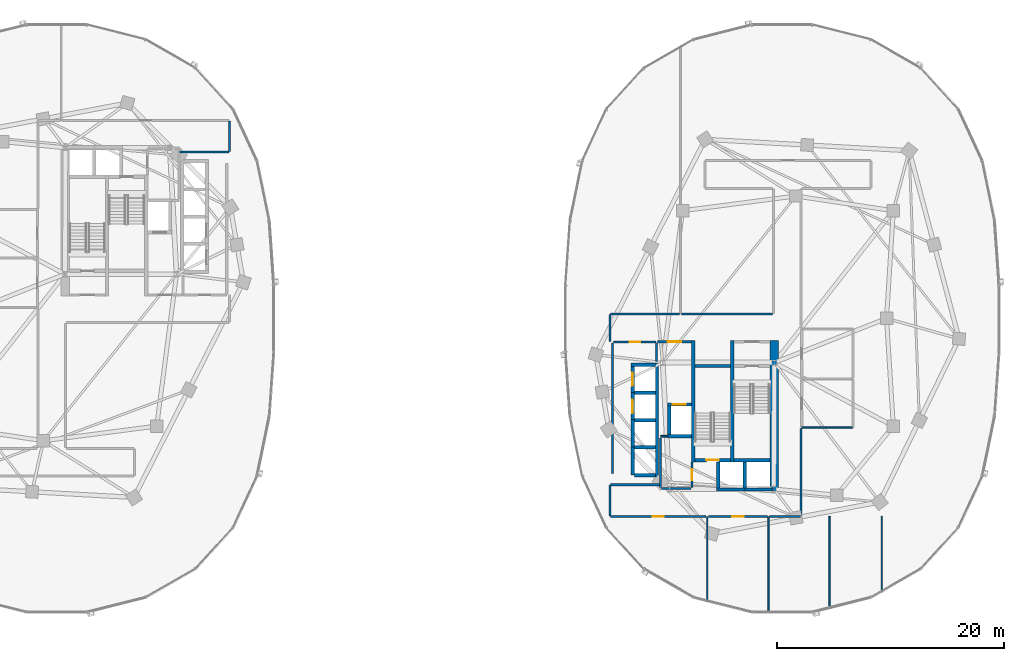
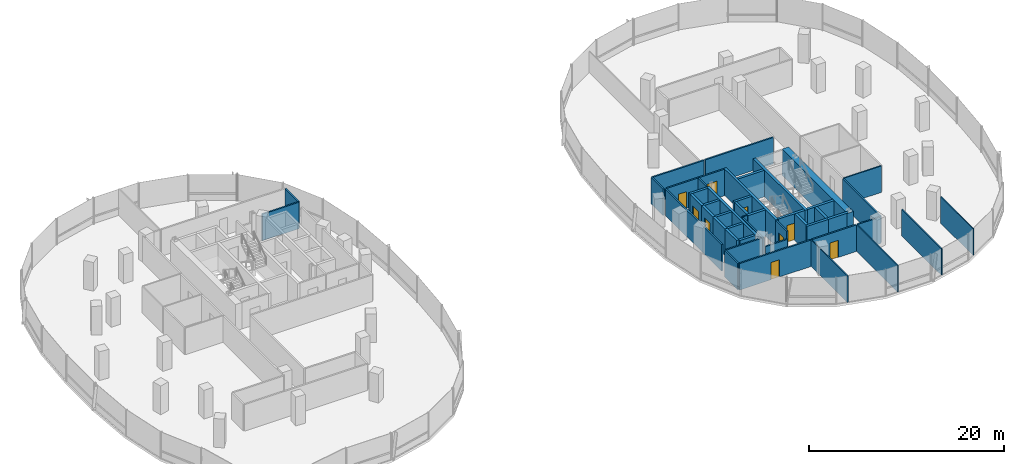
# One storey, part 12 of 20: 47 walls, 9 doors, 9 openings.
"""IFC4 building model written with IfcOpenShell, lengths in metres."""

import ifcopenshell
import ifcopenshell.guid

model = None  # the IFC model being written
_history = None  # IfcOwnerHistory: only IFC2X3 demands one
_inside = {}  # id of a spatial element -> (the spatial element, [elements in it])
_under = {}  # id of a project, library or spatial element -> (it, [spatial elements below it])
_declared = {}  # id of a project -> (the project, [libraries it declares])
_typed = {}  # id of a type object -> (the type object, [elements of that type])
_made_of = {}  # id of a material, layer set ... -> (it, [elements and type objects made of it])


def new_model(schema):
    """Start an empty IFC model of exactly this schema.

    Asked for "IFC4X3", IfcOpenShell would pick the latest addendum, in which some entities
    have other attributes; the version numbers below select the first issue.
    IFC2X3 requires an IfcOwnerHistory on every rooted entity: one is made here for all.
    """
    global model, _history
    if schema == "IFC4X3":
        model = ifcopenshell.file(schema_version=(4, 3, 0, 0))
    else:
        model = ifcopenshell.file(schema=schema)
    _inside.clear()
    _under.clear()
    _declared.clear()
    _typed.clear()
    _made_of.clear()
    _history = None
    if model.schema == "IFC2X3":
        org = make("IfcOrganization", Name="unknown")
        user = make(
            "IfcPersonAndOrganization",
            ThePerson=make("IfcPerson", FamilyName="unknown"),
            TheOrganization=org,
        )
        app = make(
            "IfcApplication",
            ApplicationDeveloper=org,
            Version="unknown",
            ApplicationFullName="unknown",
            ApplicationIdentifier="unknown",
        )
        _history = make(
            "IfcOwnerHistory",
            OwningUser=user,
            OwningApplication=app,
            ChangeAction="ADDED",
            CreationDate=0,
        )
    return model


def make(cls, **values):
    """One entity of the class cls with the attributes given. An attribute that is None is left unset."""
    return model.create_entity(
        cls, **{name: value for name, value in values.items() if value is not None}
    )


def rooted(cls, **values):
    """An entity with a GlobalId (a new one), such as an element, a storey or a relation."""
    return make(cls, GlobalId=ifcopenshell.guid.new(), OwnerHistory=_history, **values)


def si_unit(unit_type, name, prefix=None):
    """IfcSIUnit, for example si_unit("LENGTHUNIT", "METRE", prefix="MILLI")."""
    return make("IfcSIUnit", UnitType=unit_type, Prefix=prefix, Name=name)


def assignment(units):
    """IfcUnitAssignment: the units of a project."""
    return None if units is None else make("IfcUnitAssignment", Units=units)


def point(xyz):
    """IfcCartesianPoint."""
    return None if xyz is None else make("IfcCartesianPoint", Coordinates=xyz)


def direction(xyz):
    """IfcDirection."""
    return None if xyz is None else make("IfcDirection", DirectionRatios=xyz)


def frame(location, z_axis=None, x_axis=None):
    """IfcAxis2Placement3D, a coordinate frame: its origin and axes. An axis left out is left unset."""
    return make(
        "IfcAxis2Placement3D",
        Location=point(location),
        Axis=direction(z_axis),
        RefDirection=direction(x_axis),
    )


def frame_2d(location, x_axis=None):
    """IfcAxis2Placement2D, a coordinate frame in the plane: its origin and x axis."""
    return make(
        "IfcAxis2Placement2D", Location=point(location), RefDirection=direction(x_axis)
    )


def origin():
    """The frame at (0, 0, 0) with its axes left unset."""
    return frame((0.0, 0.0, 0.0))


def place(relative_to, where):
    """IfcLocalPlacement: puts the frame where relative to a parent placement (None: the world)."""
    return make(
        "IfcLocalPlacement", PlacementRelTo=relative_to, RelativePlacement=where
    )


def context(
    kind, dimensions, precision=None, world=None, true_north=None, identifier=None
):
    """IfcGeometricRepresentationContext, for example the 3D "Model" context."""
    return make(
        "IfcGeometricRepresentationContext",
        ContextIdentifier=identifier,
        ContextType=kind,
        CoordinateSpaceDimension=dimensions,
        Precision=precision,
        WorldCoordinateSystem=world,
        TrueNorth=true_north,
    )


def subcontext(parent, identifier, kind, view, scale=None):
    """IfcGeometricRepresentationSubContext, for example "Body" below "Model"."""
    return make(
        "IfcGeometricRepresentationSubContext",
        ContextIdentifier=identifier,
        ContextType=kind,
        ParentContext=parent,
        TargetScale=scale,
        TargetView=view,
    )


def project(units=None, contexts=None):
    """IfcProject with its units and contexts."""
    return rooted(
        "IfcProject",
        Name="project",
        RepresentationContexts=contexts,
        UnitsInContext=assignment(units),
    )


def spatial(cls, under=None, at=None, **own):
    """A site, building, storey or space (cls), placed at a placement, below another one or the project."""
    s = rooted(cls, ObjectPlacement=at, **own)
    if under is not None:
        _under.setdefault(under.id(), (under, []))[1].append(s)
    return s


def profile(cls, at=None, kind="AREA", **sizes):
    """A parametric profile (cls). Its sizes go by their IFC names, for example OverallWidth=200.0."""
    return make(cls, ProfileType=kind, Position=at, **sizes)


def rectangle(**sizes):
    """IfcRectangleProfileDef."""
    return profile("IfcRectangleProfileDef", **sizes)


def extrude(swept, where, along, depth):
    """IfcExtrudedAreaSolid: the profile swept, set in the frame where, extruded along a direction by depth."""
    return make(
        "IfcExtrudedAreaSolid",
        SweptArea=swept,
        Position=where,
        ExtrudedDirection=direction(along),
        Depth=depth,
    )


def shape(context_of_items, identifier, shape_type, items):
    """IfcShapeRepresentation: the items that make up one representation, for example the "Body"."""
    return make(
        "IfcShapeRepresentation",
        ContextOfItems=context_of_items,
        RepresentationIdentifier=identifier,
        RepresentationType=shape_type,
        Items=items,
    )


def material(Name=None, Category=None):
    """IfcMaterial."""
    return make("IfcMaterial", Name=Name, Category=Category)


def layer(
    of_material, thickness, ventilated=None, Name=None, Category=None, Priority=None
):
    """IfcMaterialLayer: one layer of a wall or slab, of a material (None: an air gap)."""
    return make(
        "IfcMaterialLayer",
        Material=of_material,
        LayerThickness=thickness,
        IsVentilated=ventilated,
        Name=Name,
        Category=Category,
        Priority=Priority,
    )


def layer_set(layers, Name=None):
    """IfcMaterialLayerSet."""
    return make("IfcMaterialLayerSet", MaterialLayers=layers, LayerSetName=Name)


def made_of(thing, what):
    """Note that an element or type object is made of a material, layer set ...; save() writes the relation."""
    if what is not None:
        _made_of.setdefault(what.id(), (what, []))[1].append(thing)
    return thing


def type_object(cls, material=None, **own):
    """A type object (cls), such as IfcWallType, which elements share."""
    return made_of(rooted(cls, **own), material)


def element(
    cls,
    number,
    at=None,
    inside=None,
    cuts=None,
    type_object=None,
    material=None,
    context=None,
    identifier="Body",
    shape_type=None,
    held_by="IfcProductDefinitionShape",
    body=None,
    shapes=None,
    **own,
):
    """One element of the class cls, such as IfcWall. Its Tag is "e" and its number.

    at: its placement. inside: the storey or other place that contains it. cuts: it is an
    opening in that element (IfcRelVoidsElement). A single representation is given by context,
    identifier, shape_type and body (its items); several are given by shapes. held_by: the class
    of the entity that holds the representations. save() writes the other relations.
    """
    e = rooted(cls, Tag="e%d" % number, ObjectPlacement=at, **own)
    if body is not None:
        shapes = [shape(context, identifier, shape_type, body)]
    if shapes is not None:
        e.Representation = make(held_by, Representations=shapes)
    if inside is not None:
        _inside.setdefault(inside.id(), (inside, []))[1].append(e)
    if cuts is not None:
        rooted(
            "IfcRelVoidsElement", RelatingBuildingElement=cuts, RelatedOpeningElement=e
        )
    if type_object is not None:
        _typed.setdefault(type_object.id(), (type_object, []))[1].append(e)
    return made_of(e, material)


def fill(opening, filler):
    """IfcRelFillsElement: the door or window that sits in an opening."""
    return rooted(
        "IfcRelFillsElement",
        RelatingOpeningElement=opening,
        RelatedBuildingElement=filler,
    )


def aggregate(whole, parts):
    """IfcRelAggregates: a whole, such as a stair, and the parts it consists of."""
    return rooted("IfcRelAggregates", RelatingObject=whole, RelatedObjects=parts)


def save(model, path):
    """Write the relations noted so far, then the file.

    IfcRelAggregates (storeys below a building ...), IfcRelContainedInSpatialStructure (elements
    in a storey), IfcRelDefinesByType, IfcRelAssociatesMaterial and IfcRelDeclares: one each for
    every whole, place, type object, material and project.
    """
    for whole, parts in _under.values():
        aggregate(whole, parts)
    for where, things in _inside.values():
        rooted(
            "IfcRelContainedInSpatialStructure",
            RelatedElements=things,
            RelatingStructure=where,
        )
    for kind, things in _typed.values():
        rooted("IfcRelDefinesByType", RelatedObjects=things, RelatingType=kind)
    for what, things in _made_of.values():
        rooted("IfcRelAssociatesMaterial", RelatedObjects=things, RelatingMaterial=what)
    for by, libraries in _declared.values():
        rooted("IfcRelDeclares", RelatingContext=by, RelatedDefinitions=libraries)
    model.write(path)


model = new_model("IFC4")

# Units and contexts
model_context = context("Model", 3, precision=1e-05, world=origin(), true_north=direction((0.0, 1.0)))
body_context = subcontext(model_context, "Body", "Model", "MODEL_VIEW")
ifc_project = project(units=[si_unit("LENGTHUNIT", "METRE"), si_unit("AREAUNIT", "SQUARE_METRE"), si_unit("VOLUMEUNIT", "CUBIC_METRE"), si_unit("PLANEANGLEUNIT", "RADIAN"), si_unit("MASSUNIT", "GRAM", prefix="KILO"), si_unit("THERMODYNAMICTEMPERATUREUNIT", "KELVIN"), si_unit("POWERUNIT", "WATT")], contexts=[model_context])

# Site, building, storey
site_placement = place(None, origin())
site = spatial("IfcSite", under=ifc_project, at=site_placement, CompositionType="ELEMENT")
building_placement = place(site_placement, origin())
building = spatial("IfcBuilding", under=site, at=building_placement, Name="Cundina Bronze Exchange", CompositionType="ELEMENT")
storey_placement = place(building_placement, frame((0.0, 0.0, 128.60009765625)))
storey = spatial("IfcBuildingStorey", under=building, at=storey_placement, Name="L33", CompositionType="ELEMENT", Elevation=128.60009765625)

# Wall
ifc_material_1 = material(Name="Gypsum Fireboard Partition EI120")
ifc_layer_1 = layer(ifc_material_1, 0.179931640625, Name="Gypsum Fireboard Partition EI120")
ifc_layer_set_1 = layer_set([ifc_layer_1], Name="Gypsum Fireboard Partition EI120")
wall_type_1 = type_object("IfcWallType", Name="WL-COR-180", PredefinedType="PARTITIONING", material=ifc_layer_set_1)
wall_1_placement = place(storey_placement, frame((20.889892578125, -3.800048828125, 0.0), z_axis=(0.0, 0.0, 1.0), x_axis=(0.0, 1.0, 0.0)))
element("IfcWall", 1, at=wall_1_placement, inside=storey, type_object=wall_type_1, Name="L33 E Firefighting Lobby Side Wall", PredefinedType="PARTITIONING", context=body_context, shape_type="SweptSolid", body=[
    extrude(rectangle(XDim=1.650146484375, YDim=0.179931640625, at=frame_2d((0.8251953125, 0.0))), origin(), (0.0, 0.0, 1.0), 3.31982421875),
])

# Wall, opening, door
wall_2_placement = place(storey_placement, frame((20.97998046875, -2.06005859375, 0.0), z_axis=(0.0, 0.0, 1.0), x_axis=(1.0, 0.0, 0.0)))
wall_2 = element("IfcWall", 2, at=wall_2_placement, inside=storey, type_object=wall_type_1, Name="L33 E Firefighting Lobby Exit Wall", PredefinedType="PARTITIONING", context=body_context, shape_type="SweptSolid", body=[
    extrude(rectangle(XDim=3.0, YDim=0.179931640625, at=frame_2d((1.5, 0.0))), origin(), (0.0, 0.0, 1.0), 3.31982421875),
])
opening_1_placement = place(wall_2_placement, frame((0.89990234375, 0.0, 0.0)))
opening_1 = element("IfcOpeningElement", 3, at=opening_1_placement, cuts=wall_2, Name="Opening DF-01", PredefinedType="OPENING", context=body_context, shape_type="SweptSolid", body=[
    extrude(rectangle(XDim=1.199951171875, YDim=2.14990234375, at=frame_2d((0.60009765625, 1.074951171875))), frame((0.0, 0.099853515625, 0.0), z_axis=(0.0, -1.0, 0.0), x_axis=(1.0, 0.0, 0.0)), (0.0, 0.0, 1.0), 0.199951171875),
])
ifc_material_2 = material(Name="Steel ASTM A36 Painted", Category="steel")
door_type_1 = type_object("IfcDoorType", Name="DR-FFL-1200", OperationType="NOTDEFINED", PredefinedType="DOOR", material=ifc_material_2)
door_1_placement = place(opening_1_placement, origin())
door_1 = element("IfcDoor", 4, at=door_1_placement, inside=storey, type_object=door_type_1, Name="L33 E Firefighting Lobby Door", OperationType="SINGLE_SWING_LEFT", OverallHeight=2.14990234375, OverallWidth=1.199951171875, PredefinedType="DOOR", context=body_context, shape_type="SweptSolid", body=[
    extrude(rectangle(XDim=1.199951171875, YDim=2.14990234375, at=frame_2d((0.60009765625, 1.074951171875))), frame((0.0, 0.02490234375, 0.0), z_axis=(0.0, -1.0, 0.0), x_axis=(1.0, 0.0, 0.0)), (0.0, 0.0, 1.0), 0.050048828125),
])
fill(opening_1, door_1)

# Walls
wall_3_placement = place(storey_placement, frame((-21.178466796875, 14.679931640625, 0.0), z_axis=(0.0, 0.0, 1.0), x_axis=(1.0, 0.0, 0.0)))
element("IfcWall", 5, at=wall_3_placement, inside=storey, type_object=wall_type_1, Name="L33 Interior Partition 023", PredefinedType="PARTITIONING", context=body_context, shape_type="SweptSolid", body=[
    extrude(rectangle(XDim=4.35693359375, YDim=0.179931640625, at=frame_2d((2.178466796875, 0.0))), origin(), (0.0, 0.0, 1.0), 3.31982421875),
])
wall_4_placement = place(storey_placement, frame((-16.780029296875, 14.721435546875, 0.0), z_axis=(0.0, 0.0, 1.0), x_axis=(0.0, 1.0, 0.0)))
element("IfcWall", 6, at=wall_4_placement, inside=storey, type_object=wall_type_1, Name="L33 Interior Partition 024", PredefinedType="PARTITIONING", context=body_context, shape_type="SweptSolid", body=[
    extrude(rectangle(XDim=2.70703125, YDim=0.179931640625, at=frame_2d((1.353515625, 0.0))), origin(), (0.0, 0.0, 1.0), 3.31982421875),
])
wall_5_placement = place(storey_placement, frame((17.02001953125, -13.679931640625, 0.0), z_axis=(0.0, 0.0, 1.0), x_axis=(0.0, 1.0, 0.0)))
element("IfcWall", 7, at=wall_5_placement, inside=storey, type_object=wall_type_1, Name="L33 Interior Partition 029", PredefinedType="PARTITIONING", context=body_context, shape_type="SweptSolid", body=[
    extrude(rectangle(XDim=11.510009765625, YDim=0.179931640625, at=frame_2d((5.7548828125, 0.0))), origin(), (0.0, 0.0, 1.0), 3.31982421875),
])

# Wall, opening, door
wall_6_placement = place(storey_placement, frame((17.1201171875, -2.070068359375, 0.0), z_axis=(0.0, 0.0, 1.0), x_axis=(1.0, 0.0, 0.0)))
wall_6 = element("IfcWall", 8, at=wall_6_placement, inside=storey, type_object=wall_type_1, Name="L33 Interior Partition 030", PredefinedType="PARTITIONING", context=body_context, shape_type="SweptSolid", body=[
    extrude(rectangle(XDim=3.75, YDim=0.179931640625, at=frame_2d((1.875, 0.0))), origin(), (0.0, 0.0, 1.0), 3.31982421875),
])
opening_2_placement = place(wall_6_placement, frame((1.39990234375, 0.0, 0.0)))
opening_2 = element("IfcOpeningElement", 9, at=opening_2_placement, cuts=wall_6, Name="Opening DW-01", PredefinedType="OPENING", context=body_context, shape_type="SweptSolid", body=[
    extrude(rectangle(XDim=0.949951171875, YDim=2.10009765625, at=frame_2d((0.47509765625, 1.050048828125))), frame((0.0, 0.099853515625, 0.0), z_axis=(0.0, -1.0, 0.0), x_axis=(1.0, 0.0, 0.0)), (0.0, 0.0, 1.0), 0.199951171875),
])
ifc_material_3 = material(Name="Solid Andean Oak Timber Grade A", Category="wood")
door_type_2 = type_object("IfcDoorType", Name="DR-WC-950", OperationType="NOTDEFINED", PredefinedType="DOOR", material=ifc_material_3)
door_2_placement = place(opening_2_placement, origin())
door_2 = element("IfcDoor", 10, at=door_2_placement, inside=storey, type_object=door_type_2, Name="L33 Interior Door 030", OperationType="SINGLE_SWING_RIGHT", OverallHeight=2.10009765625, OverallWidth=0.949951171875, PredefinedType="DOOR", context=body_context, shape_type="SweptSolid", body=[
    extrude(rectangle(XDim=0.949951171875, YDim=2.10009765625, at=frame_2d((0.47509765625, 1.050048828125))), frame((0.0, 0.02490234375, 0.0), z_axis=(0.0, -1.0, 0.0), x_axis=(1.0, 0.0, 0.0)), (0.0, 0.0, 1.0), 0.050048828125),
])
fill(opening_2, door_2)

# Walls
wall_7_placement = place(storey_placement, frame((21.25, -14.929931640625, 0.0), z_axis=(0.0, 0.0, 1.0), x_axis=(0.0, 1.0, 0.0)))
element("IfcWall", 11, at=wall_7_placement, inside=storey, type_object=wall_type_1, Name="L33 Interior Partition 032", PredefinedType="PARTITIONING", context=body_context, shape_type="SweptSolid", body=[
    extrude(rectangle(XDim=4.35986328125, YDim=0.179931640625, at=frame_2d((2.179931640625, 0.0))), origin(), (0.0, 0.0, 1.0), 3.31982421875),
])
wall_8_placement = place(storey_placement, frame((21.35009765625, -15.030029296875, 0.0), z_axis=(0.0, 0.0, 1.0), x_axis=(1.0, 0.0, 0.0)))
element("IfcWall", 12, at=wall_8_placement, inside=storey, type_object=wall_type_1, Name="L33 Interior Partition 033", PredefinedType="PARTITIONING", context=body_context, shape_type="SweptSolid", body=[
    extrude(rectangle(XDim=2.60986328125, YDim=0.179931640625, at=frame_2d((1.304931640625, 0.0))), origin(), (0.0, 0.0, 1.0), 2.392822265625),
])

# Wall, opening, door
wall_9_placement = place(storey_placement, frame((24.02001953125, -14.929931640625, 0.0), z_axis=(0.0, 0.0, 1.0), x_axis=(0.0, 1.0, 0.0)))
wall_9 = element("IfcWall", 13, at=wall_9_placement, inside=storey, type_object=wall_type_1, Name="L33 Interior Partition 034", PredefinedType="PARTITIONING", context=body_context, shape_type="SweptSolid", body=[
    extrude(rectangle(XDim=2.260009765625, YDim=0.179931640625, at=frame_2d((1.1298828125, 0.0))), origin(), (0.0, 0.0, 1.0), 3.31982421875),
])
opening_3_placement = place(wall_9_placement, frame((0.655029296875, 0.0, 0.0)))
opening_3 = element("IfcOpeningElement", 14, at=opening_3_placement, cuts=wall_9, Name="Opening DW-01", PredefinedType="OPENING", context=body_context, shape_type="SweptSolid", body=[
    extrude(rectangle(XDim=0.949951171875, YDim=2.10009765625, at=frame_2d((0.47509765625, 1.050048828125))), frame((0.0, 0.099853515625, 0.0), z_axis=(0.0, -1.0, 0.0), x_axis=(1.0, 0.0, 0.0)), (0.0, 0.0, 1.0), 0.199951171875),
])
door_3_placement = place(opening_3_placement, origin())
door_3 = element("IfcDoor", 15, at=door_3_placement, inside=storey, type_object=door_type_2, Name="L33 Interior Door 034", OperationType="SINGLE_SWING_RIGHT", OverallHeight=2.10009765625, OverallWidth=0.949951171875, PredefinedType="DOOR", context=body_context, shape_type="SweptSolid", body=[
    extrude(rectangle(XDim=0.949951171875, YDim=2.10009765625, at=frame_2d((0.47509765625, 1.050048828125))), frame((0.0, 0.02490234375, 0.0), z_axis=(0.0, -1.0, 0.0), x_axis=(1.0, 0.0, 0.0)), (0.0, 0.0, 1.0), 0.050048828125),
])
fill(opening_3, door_3)

wall_10_placement = place(storey_placement, frame((25.469970703125, -17.469970703125, 0.0), z_axis=(0.0, 0.0, 1.0), x_axis=(1.0, 0.0, 0.0)))
wall_10 = element("IfcWall", 16, at=wall_10_placement, inside=storey, type_object=wall_type_1, Name="L33 Interior Partition 047", PredefinedType="PARTITIONING", context=body_context, shape_type="SweptSolid", body=[
    extrude(rectangle(XDim=5.219970703125, YDim=0.179931640625, at=frame_2d((2.60986328125, 0.0))), origin(), (0.0, 0.0, 1.0), 3.31982421875),
])
opening_4_placement = place(wall_10_placement, frame((2.110107421875, 0.0, 0.0)))
opening_4 = element("IfcOpeningElement", 17, at=opening_4_placement, cuts=wall_10, Name="Opening DO-01", PredefinedType="OPENING", context=body_context, shape_type="SweptSolid", body=[
    extrude(rectangle(XDim=1.0, YDim=2.14990234375, at=frame_2d((0.5, 1.074951171875))), frame((0.0, 0.099853515625, 0.0), z_axis=(0.0, -1.0, 0.0), x_axis=(1.0, 0.0, 0.0)), (0.0, 0.0, 1.0), 0.199951171875),
])
door_type_3 = type_object("IfcDoorType", Name="DR-OFF-1000", OperationType="NOTDEFINED", PredefinedType="DOOR", material=ifc_material_3)
door_4_placement = place(opening_4_placement, origin())
door_4 = element("IfcDoor", 18, at=door_4_placement, inside=storey, type_object=door_type_3, Name="L33 Interior Door 047", OperationType="SINGLE_SWING_RIGHT", OverallHeight=2.14990234375, OverallWidth=1.0, PredefinedType="DOOR", context=body_context, shape_type="SweptSolid", body=[
    extrude(rectangle(XDim=1.0, YDim=2.14990234375, at=frame_2d((0.5, 1.074951171875))), frame((0.0, 0.02490234375, 0.0), z_axis=(0.0, -1.0, 0.0), x_axis=(1.0, 0.0, 0.0)), (0.0, 0.0, 1.0), 0.050048828125),
])
fill(opening_4, door_4)

wall_11_placement = place(storey_placement, frame((16.821533203125, -17.469970703125, 0.0), z_axis=(0.0, 0.0, 1.0), x_axis=(1.0, 0.0, 0.0)))
wall_11 = element("IfcWall", 19, at=wall_11_placement, inside=storey, type_object=wall_type_1, Name="L33 Interior Partition 048", PredefinedType="PARTITIONING", context=body_context, shape_type="SweptSolid", body=[
    extrude(rectangle(XDim=8.468505859375, YDim=0.179931640625, at=frame_2d((4.234375, 0.0))), origin(), (0.0, 0.0, 1.0), 3.31982421875),
])
opening_5_placement = place(wall_11_placement, frame((3.734130859375, 0.0, 0.0)))
opening_5 = element("IfcOpeningElement", 20, at=opening_5_placement, cuts=wall_11, Name="Opening DO-01", PredefinedType="OPENING", context=body_context, shape_type="SweptSolid", body=[
    extrude(rectangle(XDim=1.0, YDim=2.14990234375, at=frame_2d((0.5, 1.074951171875))), frame((0.0, 0.099853515625, 0.0), z_axis=(0.0, -1.0, 0.0), x_axis=(1.0, 0.0, 0.0)), (0.0, 0.0, 1.0), 0.199951171875),
])
door_5_placement = place(opening_5_placement, origin())
door_5 = element("IfcDoor", 21, at=door_5_placement, inside=storey, type_object=door_type_3, Name="L33 Interior Door 048", OperationType="SINGLE_SWING_LEFT", OverallHeight=2.14990234375, OverallWidth=1.0, PredefinedType="DOOR", context=body_context, shape_type="SweptSolid", body=[
    extrude(rectangle(XDim=1.0, YDim=2.14990234375, at=frame_2d((0.5, 1.074951171875))), frame((0.0, 0.02490234375, 0.0), z_axis=(0.0, -1.0, 0.0), x_axis=(1.0, 0.0, 0.0)), (0.0, 0.0, 1.0), 0.050048828125),
])
fill(opening_5, door_5)

# Walls
wall_12_placement = place(storey_placement, frame((22.919921875, 0.3701171875, 0.0), z_axis=(0.0, 0.0, 1.0), x_axis=(-1.0, 0.0, 0.0)))
element("IfcWall", 22, at=wall_12_placement, inside=storey, type_object=wall_type_1, Name="L33 Interior Partition 049", PredefinedType="PARTITIONING", context=body_context, shape_type="SweptSolid", body=[
    extrude(rectangle(XDim=6.098388671875, YDim=0.179931640625, at=frame_2d((3.04931640625, 0.0))), origin(), (0.0, 0.0, 1.0), 3.31982421875),
])
wall_13_placement = place(storey_placement, frame((21.178466796875, -14.679931640625, 0.0), z_axis=(0.0, 0.0, 1.0), x_axis=(-1.0, 0.0, 0.0)))
element("IfcWall", 23, at=wall_13_placement, inside=storey, type_object=wall_type_1, Name="L33 Interior Partition 050", PredefinedType="PARTITIONING", context=body_context, shape_type="SweptSolid", body=[
    extrude(rectangle(XDim=4.35693359375, YDim=0.179931640625, at=frame_2d((2.178466796875, 0.0))), origin(), (0.0, 0.0, 1.0), 3.31982421875),
])
wall_14_placement = place(storey_placement, frame((16.780029296875, -14.721435546875, 0.0), z_axis=(0.0, 0.0, 1.0), x_axis=(0.0, -1.0, 0.0)))
element("IfcWall", 24, at=wall_14_placement, inside=storey, type_object=wall_type_1, Name="L33 Interior Partition 051", PredefinedType="PARTITIONING", context=body_context, shape_type="SweptSolid", body=[
    extrude(rectangle(XDim=2.70703125, YDim=0.179931640625, at=frame_2d((1.353515625, 0.0))), origin(), (0.0, 0.0, 1.0), 3.31982421875),
])
wall_15_placement = place(storey_placement, frame((16.780029296875, 0.32861328125, 0.0), z_axis=(0.0, 0.0, 1.0), x_axis=(0.0, -1.0, 0.0)))
element("IfcWall", 25, at=wall_15_placement, inside=storey, type_object=wall_type_1, Name="L33 Interior Partition 052", PredefinedType="PARTITIONING", context=body_context, shape_type="SweptSolid", body=[
    extrude(rectangle(XDim=2.38720703125, YDim=0.179931640625, at=frame_2d((1.193603515625, 0.0))), origin(), (0.0, 0.0, 1.0), 3.31982421875),
])
wall_16_placement = place(storey_placement, frame((31.14990234375, 0.3701171875, 0.0), z_axis=(0.0, 0.0, 1.0), x_axis=(-1.0, 0.0, 0.0)))
element("IfcWall", 26, at=wall_16_placement, inside=storey, type_object=wall_type_1, Name="L33 Interior Partition 056", PredefinedType="PARTITIONING", context=body_context, shape_type="SweptSolid", body=[
    extrude(rectangle(XDim=8.0498046875, YDim=0.179931640625, at=frame_2d((4.02490234375, 0.0))), origin(), (0.0, 0.0, 1.0), 3.31982421875),
])
wall_17_placement = place(storey_placement, frame((33.669921875, -17.428466796875, 0.0), z_axis=(0.0, 0.0, 1.0), x_axis=(0.0, 1.0, 0.0)))
element("IfcWall", 27, at=wall_17_placement, inside=storey, type_object=wall_type_1, Name="L33 Interior Partition 057", PredefinedType="PARTITIONING", context=body_context, shape_type="SweptSolid", body=[
    extrude(rectangle(XDim=7.72705078125, YDim=0.179931640625, at=frame_2d((3.863525390625, 0.0))), origin(), (0.0, 0.0, 1.0), 3.31982421875),
])
wall_18_placement = place(storey_placement, frame((30.8701171875, -17.469970703125, 0.0), z_axis=(0.0, 0.0, 1.0), x_axis=(1.0, 0.0, 0.0)))
element("IfcWall", 28, at=wall_18_placement, inside=storey, type_object=wall_type_1, Name="L33 Interior Partition 060", PredefinedType="PARTITIONING", context=body_context, shape_type="SweptSolid", body=[
    extrude(rectangle(XDim=2.75830078125, YDim=0.179931640625, at=frame_2d((1.379150390625, 0.0))), origin(), (0.0, 0.0, 1.0), 3.31982421875),
])
ifc_material_4 = material(Name="Concrete C60/75", Category="concrete")
ifc_layer_2 = layer(ifc_material_4, 0.75, Name="Concrete C60/75", Category="concrete")
ifc_layer_set_2 = layer_set([ifc_layer_2], Name="Concrete C60/75")
wall_type_2 = type_object("IfcWallType", Name="WL-CORE-750", PredefinedType="SHEAR", material=ifc_layer_set_2)
wall_19_placement = place(storey_placement, frame((31.27490234375, -15.300048828125, 0.0), z_axis=(0.0, 0.0, 1.0), x_axis=(0.0, 1.0, 0.0)))
element("IfcWall", 29, at=wall_19_placement, inside=storey, type_object=wall_type_2, Name="L33 E Primary Core Shear Spine Wall", PredefinedType="SHEAR", context=body_context, shape_type="SweptSolid", body=[
    extrude(rectangle(XDim=13.330078125, YDim=0.75, at=frame_2d((6.6650390625, 0.0))), origin(), (0.0, 0.0, 1.0), 3.31982421875),
])
ifc_material_5 = material(Name="Gypsum Acoustic Partition EI60")
ifc_layer_3 = layer(ifc_material_5, 0.125, Name="Gypsum Acoustic Partition EI60")
ifc_layer_set_3 = layer_set([ifc_layer_3], Name="Gypsum Acoustic Partition EI60")
wall_type_3 = type_object("IfcWallType", Name="WL-OFF-125", PredefinedType="PARTITIONING", material=ifc_layer_set_3)
wall_20_placement = place(storey_placement, frame((25.3798828125, -24.99462890625, 0.0), z_axis=(0.0, 0.0, 1.0), x_axis=(0.0, 1.0, 0.0)))
element("IfcWall", 30, at=wall_20_placement, inside=storey, type_object=wall_type_3, Name="L33 Interior Partition 043", PredefinedType="PARTITIONING", context=body_context, shape_type="SweptSolid", body=[
    extrude(rectangle(XDim=7.49462890625, YDim=0.125, at=frame_2d((3.747314453125, 0.0))), origin(), (0.0, 0.0, 1.0), 3.31982421875),
])
wall_21_placement = place(storey_placement, frame((30.780029296875, -25.985107421875, 0.0), z_axis=(0.0, 0.0, 1.0), x_axis=(0.0, 1.0, 0.0)))
element("IfcWall", 31, at=wall_21_placement, inside=storey, type_object=wall_type_3, Name="L33 Interior Partition 044", PredefinedType="PARTITIONING", context=body_context, shape_type="SweptSolid", body=[
    extrude(rectangle(XDim=8.485107421875, YDim=0.125, at=frame_2d((4.24267578125, 0.0))), origin(), (0.0, 0.0, 1.0), 3.31982421875),
])
wall_22_placement = place(storey_placement, frame((36.179931640625, -25.611572265625, 0.0), z_axis=(0.0, 0.0, 1.0), x_axis=(0.0, 1.0, 0.0)))
element("IfcWall", 32, at=wall_22_placement, inside=storey, type_object=wall_type_3, Name="L33 Interior Partition 045", PredefinedType="PARTITIONING", context=body_context, shape_type="SweptSolid", body=[
    extrude(rectangle(XDim=8.1416015625, YDim=0.125, at=frame_2d((4.07080078125, 0.0))), origin(), (0.0, 0.0, 1.0), 3.31982421875),
])
wall_23_placement = place(storey_placement, frame((40.780029296875, -24.151611328125, 0.0), z_axis=(0.0, 0.0, 1.0), x_axis=(0.0, 1.0, 0.0)))
element("IfcWall", 33, at=wall_23_placement, inside=storey, type_object=wall_type_3, Name="L33 Interior Partition 046", PredefinedType="PARTITIONING", context=body_context, shape_type="SweptSolid", body=[
    extrude(rectangle(XDim=6.681640625, YDim=0.125, at=frame_2d((3.3408203125, 0.0))), origin(), (0.0, 0.0, 1.0), 3.31982421875),
])
ifc_material_6 = material(Name="Concrete C50/60", Category="concrete")
ifc_layer_4 = layer(ifc_material_6, 0.300048828125, Name="Concrete C50/60", Category="concrete")
ifc_layer_set_4 = layer_set([ifc_layer_4], Name="Concrete C50/60")
wall_type_4 = type_object("IfcWallType", Name="WL-SHFT-300", PredefinedType="SHEAR", material=ifc_layer_set_4)
for number, where, z_axis, x_axis, name in (
    (34, (27.590087890625, -12.64990234375, 0.0), (0.0, 0.0, 1.0), (0.0, 1.0, 0.0), "L33 E Stair Shaft Dividing Shear Wall"),
    (35, (24.1298828125, -12.64990234375, 0.0), (0.0, 0.0, 1.0), (0.0, 1.0, 0.0), "L33 E Stair 2 East Shear Wall"),
):
    element("IfcWall", number, at=place(storey_placement, frame(where, z_axis=z_axis, x_axis=x_axis)), inside=storey, type_object=wall_type_4, Name=name, PredefinedType="SHEAR", context=body_context, shape_type="SweptSolid", body=[
        extrude(rectangle(XDim=10.679931640625, YDim=0.300048828125, at=frame_2d((5.33984375, 0.0))), origin(), (0.0, 0.0, 1.0), 3.31982421875),
    ])
wall_24_placement = place(storey_placement, frame((27.739990234375, -12.5, 0.0), z_axis=(0.0, 0.0, 1.0), x_axis=(1.0, 0.0, 0.0)))
element("IfcWall", 36, at=wall_24_placement, inside=storey, type_object=wall_type_4, Name="L33 Stair E1 Far Shaft Wall", PredefinedType="SHEAR", context=body_context, shape_type="SweptSolid", body=[
    extrude(rectangle(XDim=3.159912109375, YDim=0.300048828125, at=frame_2d((1.580078125, 0.0))), origin(), (0.0, 0.0, 1.0), 3.31982421875),
])

# Wall, opening, door
wall_25_placement = place(storey_placement, frame((24.280029296875, -12.5, 0.0), z_axis=(0.0, 0.0, 1.0), x_axis=(1.0, 0.0, 0.0)))
wall_25 = element("IfcWall", 37, at=wall_25_placement, inside=storey, type_object=wall_type_4, Name="L33 Stair E2 Landing Wall", PredefinedType="SHEAR", context=body_context, shape_type="SweptSolid", body=[
    extrude(rectangle(XDim=3.159912109375, YDim=0.300048828125, at=frame_2d((1.580078125, 0.0))), origin(), (0.0, 0.0, 1.0), 3.31982421875),
])
opening_6_placement = place(wall_25_placement, frame((1.030029296875, 0.0, 0.0)))
opening_6 = element("IfcOpeningElement", 38, at=opening_6_placement, cuts=wall_25, Name="Opening DS-01", PredefinedType="OPENING", context=body_context, shape_type="SweptSolid", body=[
    extrude(rectangle(XDim=1.10009765625, YDim=2.14990234375, at=frame_2d((0.550048828125, 1.074951171875))), frame((0.0, 0.159912109375, 0.0), z_axis=(0.0, -1.0, 0.0), x_axis=(1.0, 0.0, 0.0)), (0.0, 0.0, 1.0), 0.320068359375),
])
door_type_4 = type_object("IfcDoorType", Name="DR-STR-1100", OperationType="NOTDEFINED", PredefinedType="DOOR", material=ifc_material_2)
door_6_placement = place(opening_6_placement, origin())
door_6 = element("IfcDoor", 39, at=door_6_placement, inside=storey, type_object=door_type_4, Name="L33 Smokeproof Stair E2 Door", OperationType="SINGLE_SWING_RIGHT", OverallHeight=2.14990234375, OverallWidth=1.10009765625, PredefinedType="DOOR", context=body_context, shape_type="SweptSolid", body=[
    extrude(rectangle(XDim=1.10009765625, YDim=2.14990234375, at=frame_2d((0.550048828125, 1.074951171875))), frame((0.0, 0.02490234375, 0.0), z_axis=(0.0, -1.0, 0.0), x_axis=(1.0, 0.0, 0.0)), (0.0, 0.0, 1.0), 0.050048828125),
])
fill(opening_6, door_6)

# Wall
wall_26_placement = place(storey_placement, frame((24.280029296875, -4.199951171875, 0.0), z_axis=(0.0, 0.0, 1.0), x_axis=(1.0, 0.0, 0.0)))
element("IfcWall", 40, at=wall_26_placement, inside=storey, type_object=wall_type_4, Name="L33 Stair E2 Far Shaft Wall", PredefinedType="SHEAR", context=body_context, shape_type="SweptSolid", body=[
    extrude(rectangle(XDim=3.159912109375, YDim=0.300048828125, at=frame_2d((1.580078125, 0.0))), origin(), (0.0, 0.0, 1.0), 3.31982421875),
])

# Wall, opening, door
wall_27_placement = place(storey_placement, frame((21.8798828125, -7.60009765625, 0.0), z_axis=(0.0, 0.0, 1.0), x_axis=(1.0, 0.0, 0.0)))
wall_27 = element("IfcWall", 41, at=wall_27_placement, inside=storey, type_object=wall_type_4, Name="L33 FFL-E Hoistway Front Wall", PredefinedType="SHEAR", context=body_context, shape_type="SweptSolid", body=[
    extrude(rectangle(XDim=2.10009765625, YDim=0.300048828125, at=frame_2d((1.050048828125, 0.0))), origin(), (0.0, 0.0, 1.0), 3.31982421875),
])
opening_7_placement = place(wall_27_placement, frame((0.47509765625, 0.0, 0.0)))
opening_7 = element("IfcOpeningElement", 42, at=opening_7_placement, cuts=wall_27, Name="Opening LD-01", PredefinedType="OPENING", context=body_context, shape_type="SweptSolid", body=[
    extrude(rectangle(XDim=1.14990234375, YDim=2.199951171875, at=frame_2d((0.574951171875, 1.10009765625))), frame((0.0, 0.159912109375, 0.0), z_axis=(0.0, -1.0, 0.0), x_axis=(1.0, 0.0, 0.0)), (0.0, 0.0, 1.0), 0.320068359375),
])
door_type_5 = type_object("IfcDoorType", Name="DR-LND-1150", OperationType="NOTDEFINED", PredefinedType="TRAPDOOR", material=ifc_material_2)
door_7_placement = place(opening_7_placement, origin())
door_7 = element("IfcDoor", 43, at=door_7_placement, inside=storey, type_object=door_type_5, Name="L33 FFL-E Sliding Landing Door", OperationType="SLIDING_TO_LEFT", OverallHeight=2.199951171875, OverallWidth=1.14990234375, PredefinedType="TRAPDOOR", context=body_context, shape_type="SweptSolid", body=[
    extrude(rectangle(XDim=1.14990234375, YDim=2.199951171875, at=frame_2d((0.574951171875, 1.10009765625))), frame((0.0, 0.02490234375, 0.0), z_axis=(0.0, -1.0, 0.0), x_axis=(1.0, 0.0, 0.0)), (0.0, 0.0, 1.0), 0.050048828125),
])
fill(opening_7, door_7)

# Walls
wall_28_placement = place(storey_placement, frame((21.8798828125, -10.39990234375, 0.0), z_axis=(0.0, 0.0, 1.0), x_axis=(1.0, 0.0, 0.0)))
element("IfcWall", 44, at=wall_28_placement, inside=storey, type_object=wall_type_4, Name="L33 FFL-E Hoistway Back Wall", PredefinedType="SHEAR", context=body_context, shape_type="SweptSolid", body=[
    extrude(rectangle(XDim=2.10009765625, YDim=0.300048828125, at=frame_2d((1.050048828125, 0.0))), origin(), (0.0, 0.0, 1.0), 3.31982421875),
])
for number, where, z_axis, x_axis, name in (
    (45, (22.030029296875, -10.25, 0.0), (0.0, 0.0, 1.0), (0.0, 1.0, 0.0), "L33 FFL-E Hoistway Side Wall"),
    (46, (28.699951171875, -15.10009765625, 0.0), (0.0, 0.0, 1.0), (1.0, 0.0, 0.0), "L33 PH-E1 Hoistway Front Wall"),
):
    element("IfcWall", number, at=place(storey_placement, frame(where, z_axis=z_axis, x_axis=x_axis)), inside=storey, type_object=wall_type_4, Name=name, PredefinedType="SHEAR", context=body_context, shape_type="SweptSolid", body=[
        extrude(rectangle(XDim=2.5, YDim=0.300048828125, at=frame_2d((1.25, 0.0))), origin(), (0.0, 0.0, 1.0), 3.31982421875),
    ])
wall_29_placement = place(storey_placement, frame((28.699951171875, -14.949951171875, 0.0), z_axis=(0.0, 0.0, 1.0), x_axis=(0.0, 1.0, 0.0)))
element("IfcWall", 47, at=wall_29_placement, inside=storey, type_object=wall_type_4, Name="L33 PH-E1 Hoistway Divider Wall", PredefinedType="SHEAR", context=body_context, shape_type="SweptSolid", body=[
    extrude(rectangle(XDim=2.300048828125, YDim=0.300048828125, at=frame_2d((1.14990234375, 0.0))), origin(), (0.0, 0.0, 1.0), 3.31982421875),
])
wall_30_placement = place(storey_placement, frame((26.199951171875, -15.10009765625, 0.0), z_axis=(0.0, 0.0, 1.0), x_axis=(1.0, 0.0, 0.0)))
element("IfcWall", 48, at=wall_30_placement, inside=storey, type_object=wall_type_4, Name="L33 PH-E2 Hoistway Front Wall", PredefinedType="SHEAR", context=body_context, shape_type="SweptSolid", body=[
    extrude(rectangle(XDim=2.5, YDim=0.300048828125, at=frame_2d((1.25, 0.0))), origin(), (0.0, 0.0, 1.0), 3.31982421875),
])
wall_31_placement = place(storey_placement, frame((26.35009765625, -14.949951171875, 0.0), z_axis=(0.0, 0.0, 1.0), x_axis=(0.0, 1.0, 0.0)))
element("IfcWall", 49, at=wall_31_placement, inside=storey, type_object=wall_type_4, Name="L33 PH-E2 Hoistway Divider Wall", PredefinedType="SHEAR", context=body_context, shape_type="SweptSolid", body=[
    extrude(rectangle(XDim=2.300048828125, YDim=0.300048828125, at=frame_2d((1.14990234375, 0.0))), origin(), (0.0, 0.0, 1.0), 3.31982421875),
])
wall_32_placement = place(storey_placement, frame((20.949951171875, -14.0, 0.0), z_axis=(0.0, 0.0, 1.0), x_axis=(0.0, 1.0, 0.0)))
element("IfcWall", 50, at=wall_32_placement, inside=storey, type_object=wall_type_4, Name="L33 E Passenger Bank Hoistway Back Wall", PredefinedType="SHEAR", context=body_context, shape_type="SweptSolid", body=[
    extrude(rectangle(XDim=10.050048828125, YDim=0.300048828125, at=frame_2d((5.02490234375, 0.0))), origin(), (0.0, 0.0, 1.0), 3.31982421875),
])
wall_33_placement = place(storey_placement, frame((18.949951171875, -13.85009765625, 0.0), z_axis=(0.0, 0.0, 1.0), x_axis=(1.0, 0.0, 0.0)))
element("IfcWall", 51, at=wall_33_placement, inside=storey, type_object=wall_type_4, Name="L33 E Passenger Bank South Cap Wall", PredefinedType="SHEAR", context=body_context, shape_type="SweptSolid", body=[
    extrude(rectangle(XDim=1.85009765625, YDim=0.300048828125, at=frame_2d((0.925048828125, 0.0))), origin(), (0.0, 0.0, 1.0), 3.31982421875),
])
wall_34_placement = place(storey_placement, frame((18.64990234375, -4.10009765625, 0.0), z_axis=(0.0, 0.0, 1.0), x_axis=(1.0, 0.0, 0.0)))
element("IfcWall", 52, at=wall_34_placement, inside=storey, type_object=wall_type_4, Name="L33 E Passenger Bank North Cap Wall", PredefinedType="SHEAR", context=body_context, shape_type="SweptSolid", body=[
    extrude(rectangle(XDim=2.150146484375, YDim=0.300048828125, at=frame_2d((1.0751953125, 0.0))), origin(), (0.0, 0.0, 1.0), 3.31982421875),
])
for number, where, z_axis, x_axis, name in (
    (53, (18.949951171875, -11.375, 0.0), (0.0, 0.0, 1.0), (1.0, 0.0, 0.0), "L33 E Passenger Hoistway Divider 1"),
    (54, (18.949951171875, -8.97509765625, 0.0), (0.0, 0.0, 1.0), (1.0, 0.0, 0.0), "L33 E Passenger Hoistway Divider 2"),
    (55, (18.949951171875, -6.574951171875, 0.0), (0.0, 0.0, 1.0), (1.0, 0.0, 0.0), "L33 E Passenger Hoistway Divider 3"),
):
    element("IfcWall", number, at=place(storey_placement, frame(where, z_axis=z_axis, x_axis=x_axis)), inside=storey, type_object=wall_type_4, Name=name, PredefinedType="SHEAR", context=body_context, shape_type="SweptSolid", body=[
        extrude(rectangle(XDim=1.85009765625, YDim=0.300048828125, at=frame_2d((0.925048828125, 0.0))), origin(), (0.0, 0.0, 1.0), 3.31982421875),
    ])
for number, where, z_axis, x_axis, name in (
    (56, (18.800048828125, -13.820068359375, 0.0), (0.0, 0.0, 1.0), (0.0, 1.0, 0.0), "L33 PM-E1 Hoistway Front Wall"),
    (57, (18.800048828125, -11.419921875, 0.0), (0.0, 0.0, 1.0), (0.0, 1.0, 0.0), "L33 PM-E2 Hoistway Front Wall"),
):
    element("IfcWall", number, at=place(storey_placement, frame(where, z_axis=z_axis, x_axis=x_axis)), inside=storey, type_object=wall_type_4, Name=name, PredefinedType="SHEAR", context=body_context, shape_type="SweptSolid", body=[
        extrude(rectangle(XDim=2.489990234375, YDim=0.300048828125, at=frame_2d((1.2451171875, 0.0))), origin(), (0.0, 0.0, 1.0), 3.31982421875),
    ])

# Wall, opening, door
wall_35_placement = place(storey_placement, frame((18.800048828125, -9.02001953125, 0.0), z_axis=(0.0, 0.0, 1.0), x_axis=(0.0, 1.0, 0.0)))
wall_35 = element("IfcWall", 58, at=wall_35_placement, inside=storey, type_object=wall_type_4, Name="L33 PL-E1 Hoistway Front Wall", PredefinedType="SHEAR", context=body_context, shape_type="SweptSolid", body=[
    extrude(rectangle(XDim=2.489990234375, YDim=0.300048828125, at=frame_2d((1.2451171875, 0.0))), origin(), (0.0, 0.0, 1.0), 3.31982421875),
])
opening_8_placement = place(wall_35_placement, frame((0.669921875, 0.0, 0.0)))
opening_8 = element("IfcOpeningElement", 59, at=opening_8_placement, cuts=wall_35, Name="Opening LD-01", PredefinedType="OPENING", context=body_context, shape_type="SweptSolid", body=[
    extrude(rectangle(XDim=1.14990234375, YDim=2.199951171875, at=frame_2d((0.574951171875, 1.10009765625))), frame((0.0, 0.159912109375, 0.0), z_axis=(0.0, -1.0, 0.0), x_axis=(1.0, 0.0, 0.0)), (0.0, 0.0, 1.0), 0.320068359375),
])
door_8_placement = place(opening_8_placement, origin())
door_8 = element("IfcDoor", 60, at=door_8_placement, inside=storey, type_object=door_type_5, Name="L33 PL-E1 Sliding Landing Door", OperationType="SLIDING_TO_LEFT", OverallHeight=2.199951171875, OverallWidth=1.14990234375, PredefinedType="TRAPDOOR", context=body_context, shape_type="SweptSolid", body=[
    extrude(rectangle(XDim=1.14990234375, YDim=2.199951171875, at=frame_2d((0.574951171875, 1.10009765625))), frame((0.0, 0.02490234375, 0.0), z_axis=(0.0, -1.0, 0.0), x_axis=(1.0, 0.0, 0.0)), (0.0, 0.0, 1.0), 0.050048828125),
])
fill(opening_8, door_8)

wall_36_placement = place(storey_placement, frame((18.800048828125, -6.6201171875, 0.0), z_axis=(0.0, 0.0, 1.0), x_axis=(0.0, 1.0, 0.0)))
wall_36 = element("IfcWall", 61, at=wall_36_placement, inside=storey, type_object=wall_type_4, Name="L33 PL-E2 Hoistway Front Wall", PredefinedType="SHEAR", context=body_context, shape_type="SweptSolid", body=[
    extrude(rectangle(XDim=2.490234375, YDim=0.300048828125, at=frame_2d((1.2451171875, 0.0))), origin(), (0.0, 0.0, 1.0), 3.31982421875),
])
opening_9_placement = place(wall_36_placement, frame((0.669921875, 0.0, 0.0)))
opening_9 = element("IfcOpeningElement", 62, at=opening_9_placement, cuts=wall_36, Name="Opening LD-01", PredefinedType="OPENING", context=body_context, shape_type="SweptSolid", body=[
    extrude(rectangle(XDim=1.14990234375, YDim=2.199951171875, at=frame_2d((0.574951171875, 1.10009765625))), frame((0.0, 0.159912109375, 0.0), z_axis=(0.0, -1.0, 0.0), x_axis=(1.0, 0.0, 0.0)), (0.0, 0.0, 1.0), 0.320068359375),
])
door_9_placement = place(opening_9_placement, origin())
door_9 = element("IfcDoor", 63, at=door_9_placement, inside=storey, type_object=door_type_5, Name="L33 PL-E2 Sliding Landing Door", OperationType="SLIDING_TO_LEFT", OverallHeight=2.199951171875, OverallWidth=1.14990234375, PredefinedType="TRAPDOOR", context=body_context, shape_type="SweptSolid", body=[
    extrude(rectangle(XDim=1.14990234375, YDim=2.199951171875, at=frame_2d((0.574951171875, 1.10009765625))), frame((0.0, 0.02490234375, 0.0), z_axis=(0.0, -1.0, 0.0), x_axis=(1.0, 0.0, 0.0)), (0.0, 0.0, 1.0), 0.050048828125),
])
fill(opening_9, door_9)

# Walls
ifc_material_7 = material(Name="Moisture-Resistant Masonry Block Grade M15", Category="masonry")
ifc_layer_5 = layer(ifc_material_7, 0.139892578125, Name="Moisture-Resistant Masonry Block Grade M15", Category="masonry")
ifc_layer_set_5 = layer_set([ifc_layer_5], Name="Moisture-Resistant Masonry Block Grade M15")
wall_type_5 = type_object("IfcWallType", Name="WL-WET-140", PredefinedType="PARTITIONING", material=ifc_layer_set_5)
wall_37_placement = place(storey_placement, frame((21.27001953125, -10.39990234375, 0.0), z_axis=(0.0, 0.0, 1.0), x_axis=(1.0, 0.0, 0.0)))
element("IfcWall", 64, at=wall_37_placement, inside=storey, type_object=wall_type_5, Name="L33 Interior Partition 031", PredefinedType="PARTITIONING", context=body_context, shape_type="SweptSolid", body=[
    extrude(rectangle(XDim=0.590087890625, YDim=0.139892578125, at=frame_2d((0.294921875, 0.0))), origin(), (0.0, 0.0, 1.0), 3.31982421875),
])
wall_38_placement = place(storey_placement, frame((33.739990234375, -9.610107421875, 0.0), z_axis=(0.0, 0.0, 1.0), x_axis=(1.0, 0.0, 0.0)))
element("IfcWall", 65, at=wall_38_placement, inside=storey, type_object=wall_type_5, Name="L33 Interior Partition 039", PredefinedType="PARTITIONING", context=body_context, shape_type="SweptSolid", body=[
    extrude(rectangle(XDim=4.47998046875, YDim=0.139892578125, at=frame_2d((2.239990234375, 0.0))), origin(), (0.0, 0.0, 1.0), 3.31982421875),
])

save(model, "model.ifc")
